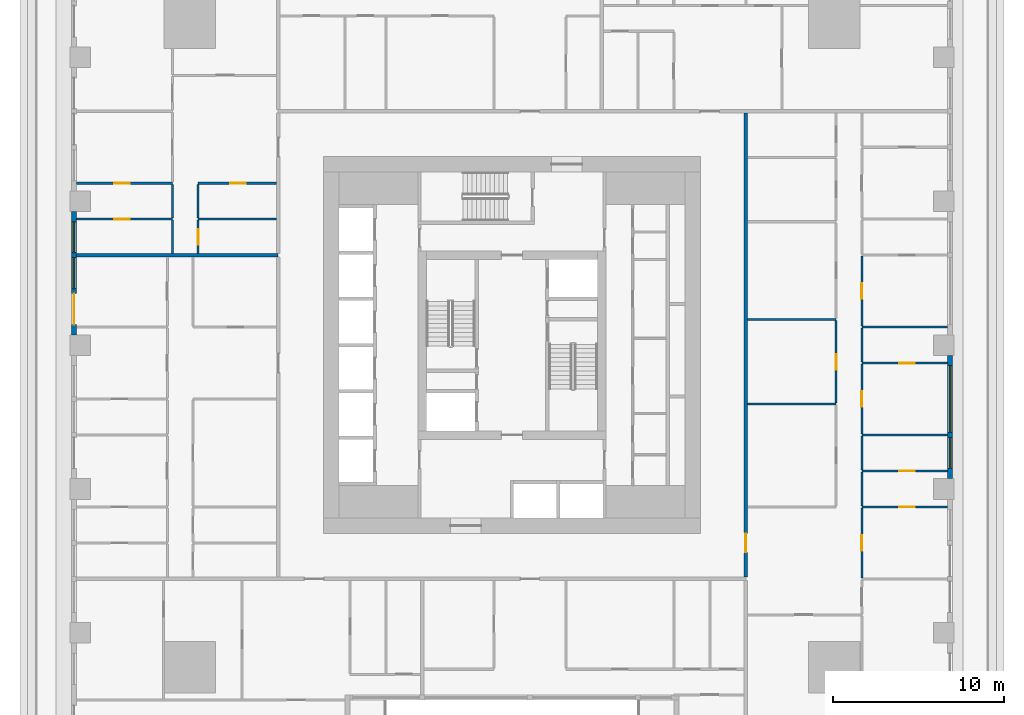
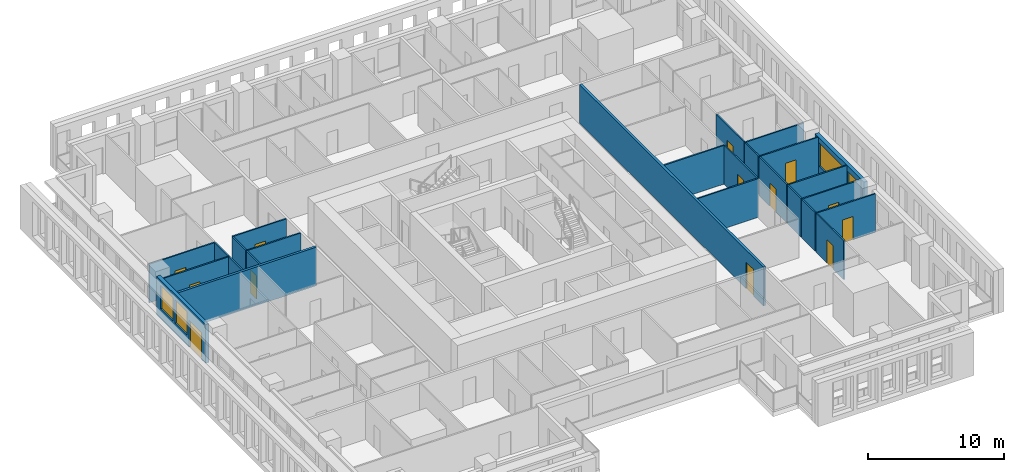
# One storey, part 6 of 15: 26 walls, 13 doors, 4 windows, 17 openings.
"""IFC4 building model written with IfcOpenShell, lengths in metres."""

from ifc_helpers import new_model, si_unit, direction, frame, frame_2d, origin, place, context, subcontext, project, spatial, rectangle, extrude, material, layer, layer_set, type_object, element, fill, save


model = new_model("IFC4")

# Units and contexts
model_context = context("Model", 3, precision=1e-05, world=origin(), true_north=direction((0.0, 1.0)))
body_context = subcontext(model_context, "Body", "Model", "MODEL_VIEW")
ifc_project = project(units=[si_unit("LENGTHUNIT", "METRE"), si_unit("AREAUNIT", "SQUARE_METRE"), si_unit("VOLUMEUNIT", "CUBIC_METRE"), si_unit("PLANEANGLEUNIT", "RADIAN"), si_unit("MASSUNIT", "GRAM", prefix="KILO")], contexts=[model_context])

# Site, building, storey
site_placement = place(None, origin())
site = spatial("IfcSite", under=ifc_project, at=site_placement, CompositionType="ELEMENT")
building_placement = place(site_placement, origin())
building = spatial("IfcBuilding", under=site, at=building_placement, Name="Khepri Terraces", CompositionType="ELEMENT")
storey_placement = place(building_placement, frame((0.0, 0.0, 50.39990234375)))
storey = spatial("IfcBuildingStorey", under=building, at=storey_placement, Name="L11", CompositionType="ELEMENT", Elevation=50.39990234375)

# Wall, opening, door
ifc_material_1 = material(Name="Fire-rated gypsum plasterboard partition, mineral wool")
ifc_layer_1 = layer(ifc_material_1, 0.199951171875, Name="Fire-rated gypsum plasterboard partition, mineral wool")
ifc_layer_set_1 = layer_set([ifc_layer_1], Name="Fire-rated gypsum plasterboard partition, mineral wool")
wall_type_1 = type_object("IfcWallType", Name="WL-CORR-200", PredefinedType="PARTITIONING", material=ifc_layer_set_1)
wall_1_placement = place(storey_placement, frame((13.64990234375, -13.550048828125, 0.0), z_axis=(0.0, 0.0, 1.0), x_axis=(0.0, 1.0, 0.0)))
wall_1 = element("IfcWall", 1, at=wall_1_placement, inside=storey, type_object=wall_type_1, Name="Partition P-026 L11", PredefinedType="PARTITIONING", context=body_context, shape_type="SweptSolid", body=[
    extrude(rectangle(XDim=27.10009765625, YDim=0.199951171875, at=frame_2d((13.550048828125, 0.0))), origin(), (0.0, 0.0, 1.0), 3.47998046875),
])
opening_1_placement = place(wall_1_placement, frame((1.449951171875, 0.0, 0.0)))
opening_1 = element("IfcOpeningElement", 2, at=opening_1_placement, cuts=wall_1, Name="Opening D1", PredefinedType="OPENING", context=body_context, shape_type="SweptSolid", body=[
    extrude(rectangle(XDim=1.10009765625, YDim=2.39990234375, at=frame_2d((0.550048828125, 1.199951171875))), frame((0.0, 0.10986328125, 0.0), z_axis=(0.0, -1.0, 0.0), x_axis=(1.0, 0.0, 0.0)), (0.0, 0.0, 1.0), 0.219970703125),
])
ifc_material_2 = material(Name="Solid-core timber door leaf, flat entrance door", Category="wood")
door_type_1 = type_object("IfcDoorType", Name="DR-ENT-1100", OperationType="NOTDEFINED", PredefinedType="DOOR", material=ifc_material_2)
door_1_placement = place(opening_1_placement, frame((1.10009765625, 0.0, 0.0), z_axis=(0.0, 0.0, 1.0), x_axis=(-1.0, 0.0, 0.0)))
door_1 = element("IfcDoor", 3, at=door_1_placement, inside=storey, type_object=door_type_1, Name="Flat B1 entrance door", OperationType="SINGLE_SWING_RIGHT", OverallHeight=2.39990234375, OverallWidth=1.10009765625, PredefinedType="DOOR", context=body_context, shape_type="SweptSolid", body=[
    extrude(rectangle(XDim=1.10009765625, YDim=2.39990234375, at=frame_2d((0.550048828125, 1.199951171875))), frame((0.0, 0.02490234375, 0.0), z_axis=(0.0, -1.0, 0.0), x_axis=(1.0, 0.0, 0.0)), (0.0, 0.0, 1.0), 0.050048828125),
])
fill(opening_1, door_1)

# Wall
wall_2_placement = place(storey_placement, frame((-25.419921875, 5.25, 0.0), z_axis=(0.0, 0.0, 1.0), x_axis=(1.0, 0.0, 0.0)))
element("IfcWall", 4, at=wall_2_placement, inside=storey, type_object=wall_type_1, Name="Partition P-060 L11", PredefinedType="PARTITIONING", context=body_context, shape_type="SweptSolid", body=[
    extrude(rectangle(XDim=11.77001953125, YDim=0.199951171875, at=frame_2d((5.885009765625, 0.0))), origin(), (0.0, 0.0, 1.0), 3.47998046875),
])

# Wall, openings, windows
ifc_material_3 = material(Name="Precast concrete C50/60 warm stone", Category="masonry")
ifc_layer_2 = layer(ifc_material_3, 0.300048828125, Name="Precast concrete C50/60 warm stone", Category="masonry")
ifc_layer_set_2 = layer_set([ifc_layer_2], Name="Precast concrete C50/60 warm stone")
wall_type_2 = type_object("IfcWallType", Name="WL-EXT-PRECAST-300", PredefinedType="STANDARD", material=ifc_layer_set_2)
wall_3_placement = place(storey_placement, frame((25.570068359375, -7.800048828125, 0.0), z_axis=(0.0, 0.0, 1.0), x_axis=(0.0, 1.0, 0.0)))
wall_3 = element("IfcWall", 5, at=wall_3_placement, inside=storey, type_object=wall_type_2, Name="External wall L11 E", PredefinedType="STANDARD", context=body_context, shape_type="SweptSolid", body=[
    extrude(rectangle(XDim=7.199951171875, YDim=0.300048828125, at=frame_2d((3.60009765625, 0.0))), origin(), (0.0, 0.0, 1.0), 3.47998046875),
])
opening_2_placement = place(wall_3_placement, frame((0.60009765625, 0.0, 0.89990234375)))
opening_2 = element("IfcOpeningElement", 6, at=opening_2_placement, cuts=wall_3, Name="Opening W1", PredefinedType="OPENING", context=body_context, shape_type="SweptSolid", body=[
    extrude(rectangle(XDim=1.800048828125, YDim=2.10009765625, at=frame_2d((0.89990234375, 1.050048828125))), frame((0.0, 0.16015625, 0.0), z_axis=(0.0, -1.0, 0.0), x_axis=(1.0, 0.0, 0.0)), (0.0, 0.0, 1.0), 0.320068359375),
])
opening_3_placement = place(wall_3_placement, frame((2.699951171875, 0.0, 0.89990234375)))
opening_3 = element("IfcOpeningElement", 7, at=opening_3_placement, cuts=wall_3, Name="Opening W2", PredefinedType="OPENING", context=body_context, shape_type="SweptSolid", body=[
    extrude(rectangle(XDim=3.89990234375, YDim=2.10009765625, at=frame_2d((1.949951171875, 1.050048828125))), frame((0.0, 0.16015625, 0.0), z_axis=(0.0, -1.0, 0.0), x_axis=(1.0, 0.0, 0.0)), (0.0, 0.0, 1.0), 0.320068359375),
])
ifc_material_4 = material(Name="Clear glass", Category="glass")
window_type_1 = type_object("IfcWindowType", Name="WIN-RES-1800x2100", PartitioningType="SINGLE_PANEL", PredefinedType="WINDOW", material=ifc_material_4)
window_1_placement = place(opening_2_placement, origin())
window_1 = element("IfcWindow", 8, at=window_1_placement, inside=storey, type_object=window_type_1, Name="Window L11 E", OverallHeight=2.10009765625, OverallWidth=1.800048828125, PartitioningType="SINGLE_PANEL", PredefinedType="WINDOW", context=body_context, shape_type="SweptSolid", body=[
    extrude(rectangle(XDim=1.800048828125, YDim=2.10009765625, at=frame_2d((0.89990234375, 1.050048828125))), frame((0.0, 0.030029296875, 0.0), z_axis=(0.0, -1.0, 0.0), x_axis=(1.0, 0.0, 0.0)), (0.0, 0.0, 1.0), 0.06005859375),
])
fill(opening_2, window_1)
window_type_2 = type_object("IfcWindowType", Name="WIN-RES-3900x2100", PartitioningType="SINGLE_PANEL", PredefinedType="WINDOW", material=ifc_material_4)
window_2_placement = place(opening_3_placement, origin())
window_2 = element("IfcWindow", 9, at=window_2_placement, inside=storey, type_object=window_type_2, Name="Window L11 E", OverallHeight=2.10009765625, OverallWidth=3.89990234375, PartitioningType="SINGLE_PANEL", PredefinedType="WINDOW", context=body_context, shape_type="SweptSolid", body=[
    extrude(rectangle(XDim=3.89990234375, YDim=2.10009765625, at=frame_2d((1.949951171875, 1.050048828125))), frame((0.0, 0.030029296875, 0.0), z_axis=(0.0, -1.0, 0.0), x_axis=(1.0, 0.0, 0.0)), (0.0, 0.0, 1.0), 0.06005859375),
])
fill(opening_3, window_2)

# Wall, openings, door, windows
wall_4_placement = place(storey_placement, frame((-25.570068359375, 7.800048828125, 0.0), z_axis=(0.0, 0.0, 1.0), x_axis=(0.0, -1.0, 0.0)))
wall_4 = element("IfcWall", 10, at=wall_4_placement, inside=storey, type_object=wall_type_2, Name="External wall L11 W", PredefinedType="STANDARD", context=body_context, shape_type="SweptSolid", body=[
    extrude(rectangle(XDim=7.199951171875, YDim=0.300048828125, at=frame_2d((3.60009765625, 0.0))), origin(), (0.0, 0.0, 1.0), 3.47998046875),
])
opening_4_placement = place(wall_4_placement, frame((0.60009765625, 0.0, 0.89990234375)))
opening_4 = element("IfcOpeningElement", 11, at=opening_4_placement, cuts=wall_4, Name="Opening W1", PredefinedType="OPENING", context=body_context, shape_type="SweptSolid", body=[
    extrude(rectangle(XDim=1.800048828125, YDim=2.10009765625, at=frame_2d((0.89990234375, 1.050048828125))), frame((0.0, 0.16015625, 0.0), z_axis=(0.0, -1.0, 0.0), x_axis=(1.0, 0.0, 0.0)), (0.0, 0.0, 1.0), 0.320068359375),
])
opening_5_placement = place(wall_4_placement, frame((2.699951171875, 0.0, 0.89990234375)))
opening_5 = element("IfcOpeningElement", 12, at=opening_5_placement, cuts=wall_4, Name="Opening W1", PredefinedType="OPENING", context=body_context, shape_type="SweptSolid", body=[
    extrude(rectangle(XDim=1.800048828125, YDim=2.10009765625, at=frame_2d((0.89990234375, 1.050048828125))), frame((0.0, 0.16015625, 0.0), z_axis=(0.0, -1.0, 0.0), x_axis=(1.0, 0.0, 0.0)), (0.0, 0.0, 1.0), 0.320068359375),
])
opening_6_placement = place(wall_4_placement, frame((4.800048828125, 0.0, 0.0)))
opening_6 = element("IfcOpeningElement", 13, at=opening_6_placement, cuts=wall_4, Name="Opening ED-L11-14", PredefinedType="OPENING", context=body_context, shape_type="SweptSolid", body=[
    extrude(rectangle(XDim=1.800048828125, YDim=2.39990234375, at=frame_2d((0.89990234375, 1.199951171875))), frame((0.0, 0.16015625, 0.0), z_axis=(0.0, -1.0, 0.0), x_axis=(1.0, 0.0, 0.0)), (0.0, 0.0, 1.0), 0.320068359375),
])
ifc_material_5 = material(Name="Anodised aluminium bronze glazed door", Category="aluminium")
door_type_2 = type_object("IfcDoorType", Name="DR-BAL-SLIDE-1800x2400", OperationType="NOTDEFINED", PredefinedType="DOOR", material=ifc_material_5)
door_2_placement = place(opening_6_placement, origin())
door_2 = element("IfcDoor", 14, at=door_2_placement, inside=storey, type_object=door_type_2, Name="Balcony door L11 W", OperationType="SLIDING_TO_RIGHT", OverallHeight=2.39990234375, OverallWidth=1.800048828125, PredefinedType="DOOR", context=body_context, shape_type="SweptSolid", body=[
    extrude(rectangle(XDim=1.800048828125, YDim=2.39990234375, at=frame_2d((0.89990234375, 1.199951171875))), frame((0.0, 0.02490234375, 0.0), z_axis=(0.0, -1.0, 0.0), x_axis=(1.0, 0.0, 0.0)), (0.0, 0.0, 1.0), 0.050048828125),
])
fill(opening_6, door_2)
window_3_placement = place(opening_4_placement, origin())
window_3 = element("IfcWindow", 15, at=window_3_placement, inside=storey, type_object=window_type_1, Name="Window L11 W", OverallHeight=2.10009765625, OverallWidth=1.800048828125, PartitioningType="SINGLE_PANEL", PredefinedType="WINDOW", context=body_context, shape_type="SweptSolid", body=[
    extrude(rectangle(XDim=1.800048828125, YDim=2.10009765625, at=frame_2d((0.89990234375, 1.050048828125))), frame((0.0, 0.030029296875, 0.0), z_axis=(0.0, -1.0, 0.0), x_axis=(1.0, 0.0, 0.0)), (0.0, 0.0, 1.0), 0.06005859375),
])
fill(opening_4, window_3)
window_4_placement = place(opening_5_placement, origin())
window_4 = element("IfcWindow", 16, at=window_4_placement, inside=storey, type_object=window_type_1, Name="Window L11 W", OverallHeight=2.10009765625, OverallWidth=1.800048828125, PartitioningType="SINGLE_PANEL", PredefinedType="WINDOW", context=body_context, shape_type="SweptSolid", body=[
    extrude(rectangle(XDim=1.800048828125, YDim=2.10009765625, at=frame_2d((0.89990234375, 1.050048828125))), frame((0.0, 0.030029296875, 0.0), z_axis=(0.0, -1.0, 0.0), x_axis=(1.0, 0.0, 0.0)), (0.0, 0.0, 1.0), 0.06005859375),
])
fill(opening_5, window_4)

# Wall, opening, door
ifc_material_6 = material(Name="Gypsum plasterboard partition")
ifc_layer_3 = layer(ifc_material_6, 0.1201171875, Name="Gypsum plasterboard partition")
ifc_layer_set_3 = layer_set([ifc_layer_3], Name="Gypsum plasterboard partition")
wall_type_3 = type_object("IfcWallType", Name="WL-PART-120", PredefinedType="PARTITIONING", material=ifc_layer_set_3)
wall_5_placement = place(storey_placement, frame((20.419921875, -13.590087890625, 0.0), z_axis=(0.0, 0.0, 1.0), x_axis=(0.0, 1.0, 0.0)))
wall_5 = element("IfcWall", 17, at=wall_5_placement, inside=storey, type_object=wall_type_3, Name="Partition P-022 L11", PredefinedType="PARTITIONING", context=body_context, shape_type="SweptSolid", body=[
    extrude(rectangle(XDim=4.080078125, YDim=0.1201171875, at=frame_2d((2.0400390625, 0.0))), origin(), (0.0, 0.0, 1.0), 3.47998046875),
])
opening_7_placement = place(wall_5_placement, frame((1.590087890625, 0.0, 0.0)))
opening_7 = element("IfcOpeningElement", 18, at=opening_7_placement, cuts=wall_5, Name="Opening D3", PredefinedType="OPENING", context=body_context, shape_type="SweptSolid", body=[
    extrude(rectangle(XDim=0.89990234375, YDim=2.10009765625, at=frame_2d((0.449951171875, 1.050048828125))), frame((0.0, 0.070068359375, 0.0), z_axis=(0.0, -1.0, 0.0), x_axis=(1.0, 0.0, 0.0)), (0.0, 0.0, 1.0), 0.14013671875),
])
ifc_material_7 = material(Name="Timber door leaf", Category="wood")
door_type_3 = type_object("IfcDoorType", Name="DR-INT-900", OperationType="NOTDEFINED", PredefinedType="DOOR", material=ifc_material_7)
door_3_placement = place(opening_7_placement, frame((0.89990234375, 0.0, 0.0), z_axis=(0.0, 0.0, 1.0), x_axis=(-1.0, 0.0, 0.0)))
door_3 = element("IfcDoor", 19, at=door_3_placement, inside=storey, type_object=door_type_3, Name="Door Master Bedroom", OperationType="SINGLE_SWING_RIGHT", OverallHeight=2.10009765625, OverallWidth=0.89990234375, PredefinedType="DOOR", context=body_context, shape_type="SweptSolid", body=[
    extrude(rectangle(XDim=0.89990234375, YDim=2.10009765625, at=frame_2d((0.449951171875, 1.050048828125))), frame((0.0, 0.02490234375, 0.0), z_axis=(0.0, -1.0, 0.0), x_axis=(1.0, 0.0, 0.0)), (0.0, 0.0, 1.0), 0.050048828125),
])
fill(opening_7, door_3)

wall_6_placement = place(storey_placement, frame((20.419921875, -9.449951171875, 0.0), z_axis=(0.0, 0.0, 1.0), x_axis=(1.0, 0.0, 0.0)))
wall_6 = element("IfcWall", 20, at=wall_6_placement, inside=storey, type_object=wall_type_3, Name="Partition P-034 L11", PredefinedType="PARTITIONING", context=body_context, shape_type="SweptSolid", body=[
    extrude(rectangle(XDim=5.0, YDim=0.1201171875, at=frame_2d((2.5, 0.0))), origin(), (0.0, 0.0, 1.0), 3.47998046875),
])
opening_8_placement = place(wall_6_placement, frame((2.199951171875, 0.0, 0.0)))
opening_8 = element("IfcOpeningElement", 21, at=opening_8_placement, cuts=wall_6, Name="Opening D3", PredefinedType="OPENING", context=body_context, shape_type="SweptSolid", body=[
    extrude(rectangle(XDim=0.89990234375, YDim=2.10009765625, at=frame_2d((0.449951171875, 1.050048828125))), frame((0.0, 0.070068359375, 0.0), z_axis=(0.0, -1.0, 0.0), x_axis=(1.0, 0.0, 0.0)), (0.0, 0.0, 1.0), 0.14013671875),
])
door_4_placement = place(opening_8_placement, origin())
door_4 = element("IfcDoor", 22, at=door_4_placement, inside=storey, type_object=door_type_3, Name="Door Dressing Room", OperationType="SINGLE_SWING_RIGHT", OverallHeight=2.10009765625, OverallWidth=0.89990234375, PredefinedType="DOOR", context=body_context, shape_type="SweptSolid", body=[
    extrude(rectangle(XDim=0.89990234375, YDim=2.10009765625, at=frame_2d((0.449951171875, 1.050048828125))), frame((0.0, 0.02490234375, 0.0), z_axis=(0.0, -1.0, 0.0), x_axis=(1.0, 0.0, 0.0)), (0.0, 0.0, 1.0), 0.050048828125),
])
fill(opening_8, door_4)

# Wall
wall_7_placement = place(storey_placement, frame((20.419921875, -9.389892578125, 0.0), z_axis=(0.0, 0.0, 1.0), x_axis=(0.0, 1.0, 0.0)))
element("IfcWall", 23, at=wall_7_placement, inside=storey, type_object=wall_type_3, Name="Partition P-038 L11", PredefinedType="PARTITIONING", context=body_context, shape_type="SweptSolid", body=[
    extrude(rectangle(XDim=1.97998046875, YDim=0.1201171875, at=frame_2d((0.989990234375, 0.0))), origin(), (0.0, 0.0, 1.0), 3.47998046875),
])

# Wall, opening, door
wall_8_placement = place(storey_placement, frame((20.419921875, -7.35009765625, 0.0), z_axis=(0.0, 0.0, 1.0), x_axis=(1.0, 0.0, 0.0)))
wall_8 = element("IfcWall", 24, at=wall_8_placement, inside=storey, type_object=wall_type_3, Name="Partition P-039 L11", PredefinedType="PARTITIONING", context=body_context, shape_type="SweptSolid", body=[
    extrude(rectangle(XDim=5.0, YDim=0.1201171875, at=frame_2d((2.5, 0.0))), origin(), (0.0, 0.0, 1.0), 3.47998046875),
])
opening_9_placement = place(wall_8_placement, frame((2.199951171875, 0.0, 0.0)))
opening_9 = element("IfcOpeningElement", 25, at=opening_9_placement, cuts=wall_8, Name="Opening D4", PredefinedType="OPENING", context=body_context, shape_type="SweptSolid", body=[
    extrude(rectangle(XDim=0.89990234375, YDim=2.10009765625, at=frame_2d((0.449951171875, 1.050048828125))), frame((0.0, 0.070068359375, 0.0), z_axis=(0.0, -1.0, 0.0), x_axis=(1.0, 0.0, 0.0)), (0.0, 0.0, 1.0), 0.14013671875),
])
ifc_material_8 = material(Name="Timber door leaf, moisture resistant", Category="wood")
door_type_4 = type_object("IfcDoorType", Name="DR-WET-900", OperationType="NOTDEFINED", PredefinedType="DOOR", material=ifc_material_8)
door_5_placement = place(opening_9_placement, origin())
door_5 = element("IfcDoor", 26, at=door_5_placement, inside=storey, type_object=door_type_4, Name="Door Bathroom", OperationType="SINGLE_SWING_RIGHT", OverallHeight=2.10009765625, OverallWidth=0.89990234375, PredefinedType="DOOR", context=body_context, shape_type="SweptSolid", body=[
    extrude(rectangle(XDim=0.89990234375, YDim=2.10009765625, at=frame_2d((0.449951171875, 1.050048828125))), frame((0.0, 0.02490234375, 0.0), z_axis=(0.0, -1.0, 0.0), x_axis=(1.0, 0.0, 0.0)), (0.0, 0.0, 1.0), 0.050048828125),
])
fill(opening_9, door_5)

# Walls
wall_9_placement = place(storey_placement, frame((20.419921875, -7.2900390625, 0.0), z_axis=(0.0, 0.0, 1.0), x_axis=(0.0, 1.0, 0.0)))
element("IfcWall", 27, at=wall_9_placement, inside=storey, type_object=wall_type_3, Name="Partition P-040 L11", PredefinedType="PARTITIONING", context=body_context, shape_type="SweptSolid", body=[
    extrude(rectangle(XDim=1.97998046875, YDim=0.1201171875, at=frame_2d((0.989990234375, 0.0))), origin(), (0.0, 0.0, 1.0), 3.47998046875),
])
wall_10_placement = place(storey_placement, frame((20.419921875, -5.25, 0.0), z_axis=(0.0, 0.0, 1.0), x_axis=(1.0, 0.0, 0.0)))
element("IfcWall", 28, at=wall_10_placement, inside=storey, type_object=wall_type_3, Name="Partition P-042 L11", PredefinedType="PARTITIONING", context=body_context, shape_type="SweptSolid", body=[
    extrude(rectangle(XDim=5.0, YDim=0.1201171875, at=frame_2d((2.5, 0.0))), origin(), (0.0, 0.0, 1.0), 3.47998046875),
])

# Wall, opening, door
wall_11_placement = place(storey_placement, frame((20.419921875, -5.18994140625, 0.0), z_axis=(0.0, 0.0, 1.0), x_axis=(0.0, 1.0, 0.0)))
wall_11 = element("IfcWall", 29, at=wall_11_placement, inside=storey, type_object=wall_type_3, Name="Partition P-044 L11", PredefinedType="PARTITIONING", context=body_context, shape_type="SweptSolid", body=[
    extrude(rectangle(XDim=4.079833984375, YDim=0.1201171875, at=frame_2d((2.0400390625, 0.0))), origin(), (0.0, 0.0, 1.0), 3.47998046875),
])
opening_10_placement = place(wall_11_placement, frame((1.590087890625, 0.0, 0.0)))
opening_10 = element("IfcOpeningElement", 30, at=opening_10_placement, cuts=wall_11, Name="Opening D3", PredefinedType="OPENING", context=body_context, shape_type="SweptSolid", body=[
    extrude(rectangle(XDim=0.89990234375, YDim=2.10009765625, at=frame_2d((0.449951171875, 1.050048828125))), frame((0.0, 0.070068359375, 0.0), z_axis=(0.0, -1.0, 0.0), x_axis=(1.0, 0.0, 0.0)), (0.0, 0.0, 1.0), 0.14013671875),
])
door_6_placement = place(opening_10_placement, frame((0.89990234375, 0.0, 0.0), z_axis=(0.0, 0.0, 1.0), x_axis=(-1.0, 0.0, 0.0)))
door_6 = element("IfcDoor", 31, at=door_6_placement, inside=storey, type_object=door_type_3, Name="Door Bedroom", OperationType="SINGLE_SWING_LEFT", OverallHeight=2.10009765625, OverallWidth=0.89990234375, PredefinedType="DOOR", context=body_context, shape_type="SweptSolid", body=[
    extrude(rectangle(XDim=0.89990234375, YDim=2.10009765625, at=frame_2d((0.449951171875, 1.050048828125))), frame((0.0, 0.02490234375, 0.0), z_axis=(0.0, -1.0, 0.0), x_axis=(1.0, 0.0, 0.0)), (0.0, 0.0, 1.0), 0.050048828125),
])
fill(opening_10, door_6)

# Wall
wall_12_placement = place(storey_placement, frame((13.75, -3.449951171875, 0.0), z_axis=(0.0, 0.0, 1.0), x_axis=(1.0, 0.0, 0.0)))
element("IfcWall", 32, at=wall_12_placement, inside=storey, type_object=wall_type_3, Name="Partition P-045 L11", PredefinedType="PARTITIONING", context=body_context, shape_type="SweptSolid", body=[
    extrude(rectangle(XDim=5.169921875, YDim=0.1201171875, at=frame_2d((2.5849609375, 0.0))), origin(), (0.0, 0.0, 1.0), 3.47998046875),
])

# Wall, opening, door
wall_13_placement = place(storey_placement, frame((18.919921875, -3.389892578125, 0.0), z_axis=(0.0, 0.0, 1.0), x_axis=(0.0, 1.0, 0.0)))
wall_13 = element("IfcWall", 33, at=wall_13_placement, inside=storey, type_object=wall_type_3, Name="Partition P-046 L11", PredefinedType="PARTITIONING", context=body_context, shape_type="SweptSolid", body=[
    extrude(rectangle(XDim=4.829833984375, YDim=0.1201171875, at=frame_2d((2.4150390625, 0.0))), origin(), (0.0, 0.0, 1.0), 3.47998046875),
])
opening_11_placement = place(wall_13_placement, frame((1.965087890625, 0.0, 0.0)))
opening_11 = element("IfcOpeningElement", 34, at=opening_11_placement, cuts=wall_13, Name="Opening D3", PredefinedType="OPENING", context=body_context, shape_type="SweptSolid", body=[
    extrude(rectangle(XDim=0.89990234375, YDim=2.10009765625, at=frame_2d((0.449951171875, 1.050048828125))), frame((0.0, 0.070068359375, 0.0), z_axis=(0.0, -1.0, 0.0), x_axis=(1.0, 0.0, 0.0)), (0.0, 0.0, 1.0), 0.14013671875),
])
door_7_placement = place(opening_11_placement, origin())
door_7 = element("IfcDoor", 35, at=door_7_placement, inside=storey, type_object=door_type_3, Name="Door Service Store", OperationType="SINGLE_SWING_RIGHT", OverallHeight=2.10009765625, OverallWidth=0.89990234375, PredefinedType="DOOR", context=body_context, shape_type="SweptSolid", body=[
    extrude(rectangle(XDim=0.89990234375, YDim=2.10009765625, at=frame_2d((0.449951171875, 1.050048828125))), frame((0.0, 0.02490234375, 0.0), z_axis=(0.0, -1.0, 0.0), x_axis=(1.0, 0.0, 0.0)), (0.0, 0.0, 1.0), 0.050048828125),
])
fill(opening_11, door_7)

wall_14_placement = place(storey_placement, frame((20.419921875, -1.050048828125, 0.0), z_axis=(0.0, 0.0, 1.0), x_axis=(1.0, 0.0, 0.0)))
wall_14 = element("IfcWall", 36, at=wall_14_placement, inside=storey, type_object=wall_type_3, Name="Partition P-050 L11", PredefinedType="PARTITIONING", context=body_context, shape_type="SweptSolid", body=[
    extrude(rectangle(XDim=5.0, YDim=0.1201171875, at=frame_2d((2.5, 0.0))), origin(), (0.0, 0.0, 1.0), 3.47998046875),
])
opening_12_placement = place(wall_14_placement, frame((2.199951171875, 0.0, 0.0)))
opening_12 = element("IfcOpeningElement", 37, at=opening_12_placement, cuts=wall_14, Name="Opening D4", PredefinedType="OPENING", context=body_context, shape_type="SweptSolid", body=[
    extrude(rectangle(XDim=0.89990234375, YDim=2.10009765625, at=frame_2d((0.449951171875, 1.050048828125))), frame((0.0, 0.070068359375, 0.0), z_axis=(0.0, -1.0, 0.0), x_axis=(1.0, 0.0, 0.0)), (0.0, 0.0, 1.0), 0.14013671875),
])
door_8_placement = place(opening_12_placement, origin())
door_8 = element("IfcDoor", 38, at=door_8_placement, inside=storey, type_object=door_type_4, Name="Door Bathroom", OperationType="SINGLE_SWING_RIGHT", OverallHeight=2.10009765625, OverallWidth=0.89990234375, PredefinedType="DOOR", context=body_context, shape_type="SweptSolid", body=[
    extrude(rectangle(XDim=0.89990234375, YDim=2.10009765625, at=frame_2d((0.449951171875, 1.050048828125))), frame((0.0, 0.02490234375, 0.0), z_axis=(0.0, -1.0, 0.0), x_axis=(1.0, 0.0, 0.0)), (0.0, 0.0, 1.0), 0.050048828125),
])
fill(opening_12, door_8)

# Walls
wall_15_placement = place(storey_placement, frame((20.419921875, -0.989990234375, 0.0), z_axis=(0.0, 0.0, 1.0), x_axis=(0.0, 1.0, 0.0)))
element("IfcWall", 39, at=wall_15_placement, inside=storey, type_object=wall_type_3, Name="Partition P-051 L11", PredefinedType="PARTITIONING", context=body_context, shape_type="SweptSolid", body=[
    extrude(rectangle(XDim=1.97998046875, YDim=0.1201171875, at=frame_2d((0.989990234375, 0.0))), origin(), (0.0, 0.0, 1.0), 3.47998046875),
])
wall_16_placement = place(storey_placement, frame((20.419921875, 1.050048828125, 0.0), z_axis=(0.0, 0.0, 1.0), x_axis=(1.0, 0.0, 0.0)))
element("IfcWall", 40, at=wall_16_placement, inside=storey, type_object=wall_type_3, Name="Partition P-054 L11", PredefinedType="PARTITIONING", context=body_context, shape_type="SweptSolid", body=[
    extrude(rectangle(XDim=5.0, YDim=0.1201171875, at=frame_2d((2.5, 0.0))), origin(), (0.0, 0.0, 1.0), 3.47998046875),
])

# Wall, opening, door
wall_17_placement = place(storey_placement, frame((20.419921875, 1.110107421875, 0.0), z_axis=(0.0, 0.0, 1.0), x_axis=(0.0, 1.0, 0.0)))
wall_17 = element("IfcWall", 41, at=wall_17_placement, inside=storey, type_object=wall_type_3, Name="Partition P-057 L11", PredefinedType="PARTITIONING", context=body_context, shape_type="SweptSolid", body=[
    extrude(rectangle(XDim=4.079833984375, YDim=0.1201171875, at=frame_2d((2.0400390625, 0.0))), origin(), (0.0, 0.0, 1.0), 3.47998046875),
])
opening_13_placement = place(wall_17_placement, frame((1.590087890625, 0.0, 0.0)))
opening_13 = element("IfcOpeningElement", 42, at=opening_13_placement, cuts=wall_17, Name="Opening D3", PredefinedType="OPENING", context=body_context, shape_type="SweptSolid", body=[
    extrude(rectangle(XDim=0.89990234375, YDim=2.10009765625, at=frame_2d((0.449951171875, 1.050048828125))), frame((0.0, 0.070068359375, 0.0), z_axis=(0.0, -1.0, 0.0), x_axis=(1.0, 0.0, 0.0)), (0.0, 0.0, 1.0), 0.14013671875),
])
door_9_placement = place(opening_13_placement, frame((0.89990234375, 0.0, 0.0), z_axis=(0.0, 0.0, 1.0), x_axis=(-1.0, 0.0, 0.0)))
door_9 = element("IfcDoor", 43, at=door_9_placement, inside=storey, type_object=door_type_3, Name="Door Bedroom", OperationType="SINGLE_SWING_LEFT", OverallHeight=2.10009765625, OverallWidth=0.89990234375, PredefinedType="DOOR", context=body_context, shape_type="SweptSolid", body=[
    extrude(rectangle(XDim=0.89990234375, YDim=2.10009765625, at=frame_2d((0.449951171875, 1.050048828125))), frame((0.0, 0.02490234375, 0.0), z_axis=(0.0, -1.0, 0.0), x_axis=(1.0, 0.0, 0.0)), (0.0, 0.0, 1.0), 0.050048828125),
])
fill(opening_13, door_9)

# Walls
wall_18_placement = place(storey_placement, frame((13.75, 1.5, 0.0), z_axis=(0.0, 0.0, 1.0), x_axis=(1.0, 0.0, 0.0)))
element("IfcWall", 44, at=wall_18_placement, inside=storey, type_object=wall_type_3, Name="Partition P-058 L11", PredefinedType="PARTITIONING", context=body_context, shape_type="SweptSolid", body=[
    extrude(rectangle(XDim=5.169921875, YDim=0.1201171875, at=frame_2d((2.5849609375, 0.0))), origin(), (0.0, 0.0, 1.0), 3.47998046875),
])
wall_19_placement = place(storey_placement, frame((-19.820068359375, 5.35009765625, 0.0), z_axis=(0.0, 0.0, 1.0), x_axis=(0.0, 1.0, 0.0)))
element("IfcWall", 45, at=wall_19_placement, inside=storey, type_object=wall_type_3, Name="Partition P-063 L11", PredefinedType="PARTITIONING", context=body_context, shape_type="SweptSolid", body=[
    extrude(rectangle(XDim=1.93994140625, YDim=0.1201171875, at=frame_2d((0.969970703125, 0.0))), origin(), (0.0, 0.0, 1.0), 3.47998046875),
])

# Wall, opening, door
wall_20_placement = place(storey_placement, frame((-18.320068359375, 5.35009765625, 0.0), z_axis=(0.0, 0.0, 1.0), x_axis=(0.0, 1.0, 0.0)))
wall_20 = element("IfcWall", 46, at=wall_20_placement, inside=storey, type_object=wall_type_3, Name="Partition P-064 L11", PredefinedType="PARTITIONING", context=body_context, shape_type="SweptSolid", body=[
    extrude(rectangle(XDim=1.93994140625, YDim=0.1201171875, at=frame_2d((0.969970703125, 0.0))), origin(), (0.0, 0.0, 1.0), 3.47998046875),
])
opening_14_placement = place(wall_20_placement, frame((0.5, 0.0, 0.0)))
opening_14 = element("IfcOpeningElement", 47, at=opening_14_placement, cuts=wall_20, Name="Opening D3", PredefinedType="OPENING", context=body_context, shape_type="SweptSolid", body=[
    extrude(rectangle(XDim=0.89990234375, YDim=2.10009765625, at=frame_2d((0.449951171875, 1.050048828125))), frame((0.0, 0.070068359375, 0.0), z_axis=(0.0, -1.0, 0.0), x_axis=(1.0, 0.0, 0.0)), (0.0, 0.0, 1.0), 0.14013671875),
])
door_10_placement = place(opening_14_placement, frame((0.89990234375, 0.0, 0.0), z_axis=(0.0, 0.0, 1.0), x_axis=(-1.0, 0.0, 0.0)))
door_10 = element("IfcDoor", 48, at=door_10_placement, inside=storey, type_object=door_type_3, Name="Door Kitchen", OperationType="SINGLE_SWING_RIGHT", OverallHeight=2.10009765625, OverallWidth=0.89990234375, PredefinedType="DOOR", context=body_context, shape_type="SweptSolid", body=[
    extrude(rectangle(XDim=0.89990234375, YDim=2.10009765625, at=frame_2d((0.449951171875, 1.050048828125))), frame((0.0, 0.02490234375, 0.0), z_axis=(0.0, -1.0, 0.0), x_axis=(1.0, 0.0, 0.0)), (0.0, 0.0, 1.0), 0.050048828125),
])
fill(opening_14, door_10)

wall_21_placement = place(storey_placement, frame((-25.419921875, 7.35009765625, 0.0), z_axis=(0.0, 0.0, 1.0), x_axis=(1.0, 0.0, 0.0)))
wall_21 = element("IfcWall", 49, at=wall_21_placement, inside=storey, type_object=wall_type_3, Name="Partition P-068 L11", PredefinedType="PARTITIONING", context=body_context, shape_type="SweptSolid", body=[
    extrude(rectangle(XDim=5.599853515625, YDim=0.1201171875, at=frame_2d((2.7998046875, 0.0))), origin(), (0.0, 0.0, 1.0), 3.47998046875),
])
opening_15_placement = place(wall_21_placement, frame((2.199951171875, 0.0, 0.0)))
opening_15 = element("IfcOpeningElement", 50, at=opening_15_placement, cuts=wall_21, Name="Opening D4", PredefinedType="OPENING", context=body_context, shape_type="SweptSolid", body=[
    extrude(rectangle(XDim=0.89990234375, YDim=2.10009765625, at=frame_2d((0.449951171875, 1.050048828125))), frame((0.0, 0.070068359375, 0.0), z_axis=(0.0, -1.0, 0.0), x_axis=(1.0, 0.0, 0.0)), (0.0, 0.0, 1.0), 0.14013671875),
])
door_11_placement = place(opening_15_placement, frame((0.89990234375, 0.0, 0.0), z_axis=(0.0, 0.0, 1.0), x_axis=(-1.0, 0.0, 0.0)))
door_11 = element("IfcDoor", 51, at=door_11_placement, inside=storey, type_object=door_type_4, Name="Door Bathroom", OperationType="SINGLE_SWING_RIGHT", OverallHeight=2.10009765625, OverallWidth=0.89990234375, PredefinedType="DOOR", context=body_context, shape_type="SweptSolid", body=[
    extrude(rectangle(XDim=0.89990234375, YDim=2.10009765625, at=frame_2d((0.449951171875, 1.050048828125))), frame((0.0, 0.02490234375, 0.0), z_axis=(0.0, -1.0, 0.0), x_axis=(1.0, 0.0, 0.0)), (0.0, 0.0, 1.0), 0.050048828125),
])
fill(opening_15, door_11)

# Walls
wall_22_placement = place(storey_placement, frame((-18.320068359375, 7.35009765625, 0.0), z_axis=(0.0, 0.0, 1.0), x_axis=(1.0, 0.0, 0.0)))
element("IfcWall", 52, at=wall_22_placement, inside=storey, type_object=wall_type_3, Name="Partition P-069 L11", PredefinedType="PARTITIONING", context=body_context, shape_type="SweptSolid", body=[
    extrude(rectangle(XDim=4.570068359375, YDim=0.1201171875, at=frame_2d((2.28515625, 0.0))), origin(), (0.0, 0.0, 1.0), 3.47998046875),
])
for number, where, z_axis, x_axis, name in (
    (53, (-19.820068359375, 7.409912109375, 0.0), (0.0, 0.0, 1.0), (0.0, 1.0, 0.0), "Partition P-071 L11"),
    (54, (-18.320068359375, 7.409912109375, 0.0), (0.0, 0.0, 1.0), (0.0, 1.0, 0.0), "Partition P-072 L11"),
):
    element("IfcWall", number, at=place(storey_placement, frame(where, z_axis=z_axis, x_axis=x_axis)), inside=storey, type_object=wall_type_3, Name=name, PredefinedType="PARTITIONING", context=body_context, shape_type="SweptSolid", body=[
        extrude(rectangle(XDim=1.97998046875, YDim=0.1201171875, at=frame_2d((0.989990234375, 0.0))), origin(), (0.0, 0.0, 1.0), 3.47998046875),
    ])

# Wall, opening, door
wall_23_placement = place(storey_placement, frame((-25.419921875, 9.449951171875, 0.0), z_axis=(0.0, 0.0, 1.0), x_axis=(1.0, 0.0, 0.0)))
wall_23 = element("IfcWall", 55, at=wall_23_placement, inside=storey, type_object=wall_type_3, Name="Partition P-074 L11", PredefinedType="PARTITIONING", context=body_context, shape_type="SweptSolid", body=[
    extrude(rectangle(XDim=5.599853515625, YDim=0.1201171875, at=frame_2d((2.7998046875, 0.0))), origin(), (0.0, 0.0, 1.0), 3.47998046875),
])
opening_16_placement = place(wall_23_placement, frame((2.199951171875, 0.0, 0.0)))
opening_16 = element("IfcOpeningElement", 56, at=opening_16_placement, cuts=wall_23, Name="Opening D3", PredefinedType="OPENING", context=body_context, shape_type="SweptSolid", body=[
    extrude(rectangle(XDim=0.89990234375, YDim=2.10009765625, at=frame_2d((0.449951171875, 1.050048828125))), frame((0.0, 0.070068359375, 0.0), z_axis=(0.0, -1.0, 0.0), x_axis=(1.0, 0.0, 0.0)), (0.0, 0.0, 1.0), 0.14013671875),
])
door_12_placement = place(opening_16_placement, frame((0.89990234375, 0.0, 0.0), z_axis=(0.0, 0.0, 1.0), x_axis=(-1.0, 0.0, 0.0)))
door_12 = element("IfcDoor", 57, at=door_12_placement, inside=storey, type_object=door_type_3, Name="Door Dressing Room", OperationType="SINGLE_SWING_RIGHT", OverallHeight=2.10009765625, OverallWidth=0.89990234375, PredefinedType="DOOR", context=body_context, shape_type="SweptSolid", body=[
    extrude(rectangle(XDim=0.89990234375, YDim=2.10009765625, at=frame_2d((0.449951171875, 1.050048828125))), frame((0.0, 0.02490234375, 0.0), z_axis=(0.0, -1.0, 0.0), x_axis=(1.0, 0.0, 0.0)), (0.0, 0.0, 1.0), 0.050048828125),
])
fill(opening_16, door_12)

wall_24_placement = place(storey_placement, frame((-18.320068359375, 9.449951171875, 0.0), z_axis=(0.0, 0.0, 1.0), x_axis=(1.0, 0.0, 0.0)))
wall_24 = element("IfcWall", 58, at=wall_24_placement, inside=storey, type_object=wall_type_3, Name="Partition P-075 L11", PredefinedType="PARTITIONING", context=body_context, shape_type="SweptSolid", body=[
    extrude(rectangle(XDim=4.570068359375, YDim=0.1201171875, at=frame_2d((2.28515625, 0.0))), origin(), (0.0, 0.0, 1.0), 3.47998046875),
])
opening_17_placement = place(wall_24_placement, frame((1.885009765625, 0.0, 0.0)))
opening_17 = element("IfcOpeningElement", 59, at=opening_17_placement, cuts=wall_24, Name="Opening D4", PredefinedType="OPENING", context=body_context, shape_type="SweptSolid", body=[
    extrude(rectangle(XDim=0.89990234375, YDim=2.10009765625, at=frame_2d((0.449951171875, 1.050048828125))), frame((0.0, 0.070068359375, 0.0), z_axis=(0.0, -1.0, 0.0), x_axis=(1.0, 0.0, 0.0)), (0.0, 0.0, 1.0), 0.14013671875),
])
door_13_placement = place(opening_17_placement, frame((0.89990234375, 0.0, 0.0), z_axis=(0.0, 0.0, 1.0), x_axis=(-1.0, 0.0, 0.0)))
door_13 = element("IfcDoor", 60, at=door_13_placement, inside=storey, type_object=door_type_4, Name="Door Guest Bathroom", OperationType="SINGLE_SWING_LEFT", OverallHeight=2.10009765625, OverallWidth=0.89990234375, PredefinedType="DOOR", context=body_context, shape_type="SweptSolid", body=[
    extrude(rectangle(XDim=0.89990234375, YDim=2.10009765625, at=frame_2d((0.449951171875, 1.050048828125))), frame((0.0, 0.02490234375, 0.0), z_axis=(0.0, -1.0, 0.0), x_axis=(1.0, 0.0, 0.0)), (0.0, 0.0, 1.0), 0.050048828125),
])
fill(opening_17, door_13)

save(model, "model.ifc")
